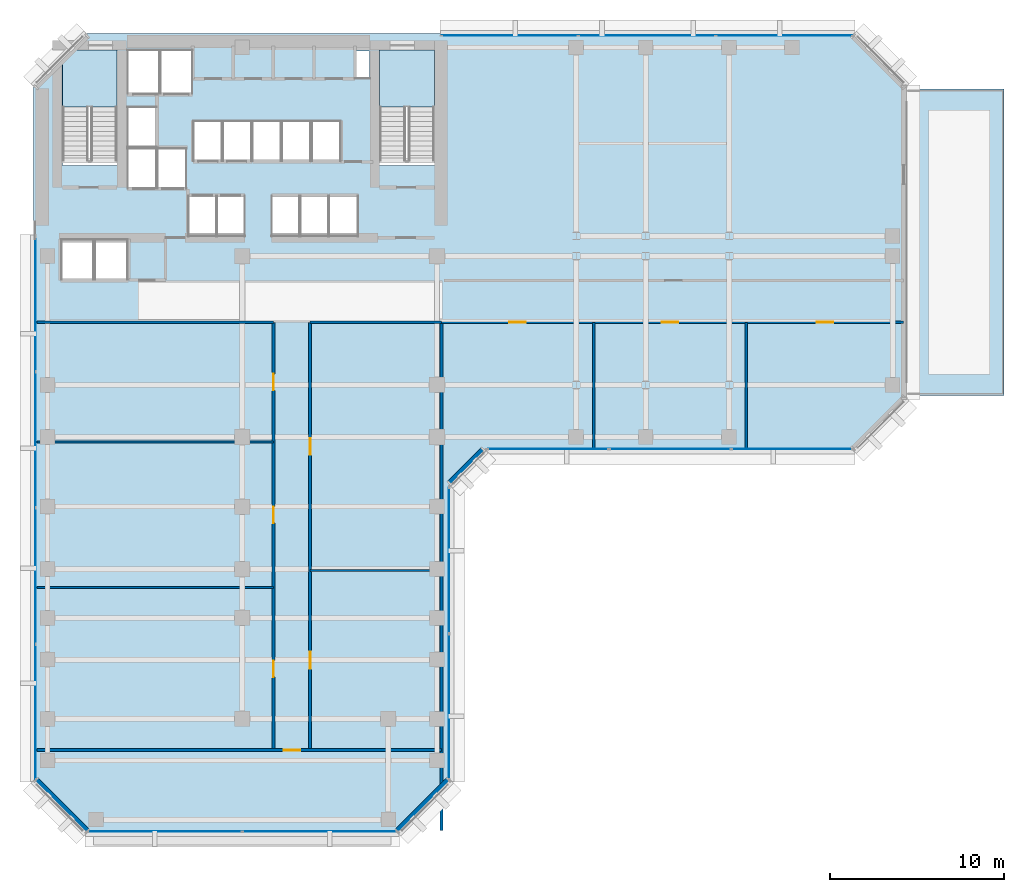
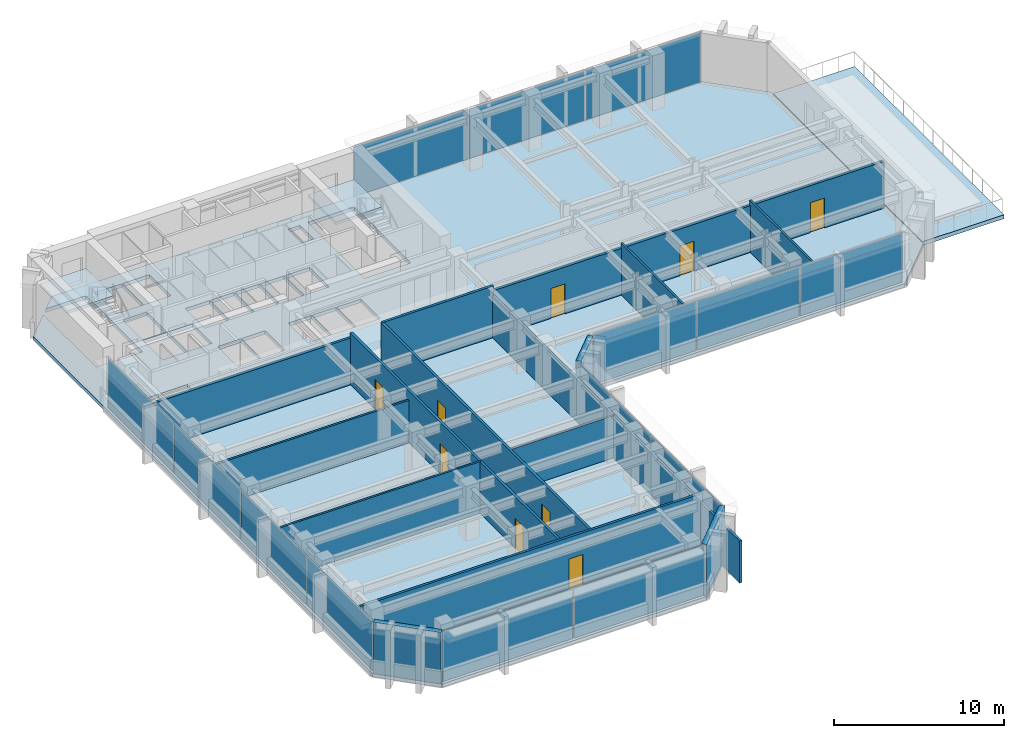
# One storey, part 6 of 12: 15 walls, 14 plates, 9 doors, 4 slabs, 9 openings, 7 elements without a shape of their own.
"""IFC4 building model written with IfcOpenShell, lengths in metres."""

from ifc_helpers import new_model, si_unit, direction, frame, frame_2d, origin, origin_2d, place, context, subcontext, project, spatial, polyline, rectangle, outline, extrude, material, layer, layer_set, type_object, element, fill, aggregate, save


model = new_model("IFC4")

# Units and contexts
model_context = context("Model", 3, precision=1e-05, world=origin(), true_north=direction((0.0, 1.0)))
body_context = subcontext(model_context, "Body", "Model", "MODEL_VIEW")
ifc_project = project(units=[si_unit("LENGTHUNIT", "METRE"), si_unit("AREAUNIT", "SQUARE_METRE"), si_unit("VOLUMEUNIT", "CUBIC_METRE"), si_unit("PLANEANGLEUNIT", "RADIAN"), si_unit("MASSUNIT", "GRAM", prefix="KILO")], contexts=[model_context])

# Site, building, storey
site_placement = place(None, origin())
site = spatial("IfcSite", under=ifc_project, at=site_placement, CompositionType="ELEMENT")
building_placement = place(site_placement, origin())
building = spatial("IfcBuilding", under=site, at=building_placement, Name="Kefirva Bronze Tower", CompositionType="ELEMENT")
storey_placement = place(building_placement, frame((0.0, 0.0, 110.550048828125)))
storey = spatial("IfcBuildingStorey", under=building, at=storey_placement, Name="L26", CompositionType="ELEMENT", Elevation=110.550048828125)

# Slab
ifc_material_1 = material(Name="Concrete C40/50", Category="concrete")
ifc_layer_1 = layer(ifc_material_1, 0.280029296875, Name="Concrete C40/50")
ifc_layer_set_1 = layer_set([ifc_layer_1], Name="Concrete C40/50")
slab_type_1 = type_object("IfcSlabType", Name="RC Setback Sky-Garden Terrace Slab 280mm", PredefinedType="ROOF", material=ifc_layer_set_1)
slab_1_placement = place(storey_placement, frame((0.0, 0.0, -0.280029296875)))
element("IfcSlab", 1, at=slab_1_placement, inside=storey, type_object=slab_type_1, Name="L26 Planted Sky-Garden Terrace Slab", PredefinedType="ROOF", context=body_context, shape_type="SweptSolid", body=[
    extrude(outline(polyline([(50.25, 25.199951171875), (55.800048828125, 25.199951171875), (55.800048828125, 42.800048828125), (50.25, 42.800048828125), (50.25, 25.199951171875)])), origin(), (0.0, 0.0, 1.0), 0.280029296875),
])

# Stair, slab
stair_type = type_object("IfcStairType", Name="RC Dogleg Protected Stair 24R", PredefinedType="HALF_TURN_STAIR", material=ifc_material_1)
stair_1_placement = place(storey_placement, origin())
stair_1 = element("IfcStair", 2, at=stair_1_placement, inside=storey, type_object=stair_type, Name="L26 Protected Exit Stair 1", PredefinedType="HALF_TURN_STAIR")
ifc_layer_2 = layer(ifc_material_1, 0.199951171875, Name="Concrete C40/50")
ifc_layer_set_2 = layer_set([ifc_layer_2], Name="Concrete C40/50")
slab_type_2 = type_object("IfcSlabType", Name="RC Stair Landing Slab 200mm", PredefinedType="LANDING", material=ifc_layer_set_2)
slab_2_placement = place(storey_placement, frame((0.0, 0.0, 1.780029296875)))
slab_2 = element("IfcSlab", 3, at=slab_2_placement, type_object=slab_type_2, Name="ST-1 landing 1", PredefinedType="LANDING", context=body_context, shape_type="SweptSolid", body=[
    extrude(outline(polyline([(4.800048828125, 41.780029296875), (4.800048828125, 45.050048828125), (1.64990234375, 45.050048828125), (1.64990234375, 41.780029296875), (4.800048828125, 41.780029296875)])), origin(), (0.0, 0.0, 1.0), 0.199951171875),
])
aggregate(stair_1, [slab_2])

stair_2_placement = place(storey_placement, origin())
stair_2 = element("IfcStair", 4, at=stair_2_placement, inside=storey, type_object=stair_type, Name="L26 Protected Exit Stair 2", PredefinedType="HALF_TURN_STAIR")
slab_3_placement = place(storey_placement, frame((0.0, 0.0, 1.780029296875)))
slab_3 = element("IfcSlab", 5, at=slab_3_placement, type_object=slab_type_2, Name="ST-2 landing 1", PredefinedType="LANDING", context=body_context, shape_type="SweptSolid", body=[
    extrude(outline(polyline([(23.050048828125, 41.780029296875), (23.050048828125, 45.050048828125), (19.89990234375, 45.050048828125), (19.89990234375, 41.780029296875), (23.050048828125, 41.780029296875)])), origin(), (0.0, 0.0, 1.0), 0.199951171875),
])
aggregate(stair_2, [slab_3])

# Slab
ifc_layer_3 = layer(ifc_material_1, 0.25, Name="Concrete C40/50")
ifc_layer_set_3 = layer_set([ifc_layer_3], Name="Concrete C40/50")
slab_type_3 = type_object("IfcSlabType", Name="RC Tower Floor Slab 250mm", PredefinedType="FLOOR", material=ifc_layer_set_3)
slab_4_placement = place(storey_placement, frame((0.0, 0.0, -0.25)))
element("IfcSlab", 6, at=slab_4_placement, inside=storey, type_object=slab_type_3, Name="L26 Structural Floor Slab", PredefinedType="FLOOR", context=body_context, shape_type="SweptSolid", body=[
    extrude(outline(polyline([(0.0, 3.0), (0.0, 43.0), (1.64990234375, 44.64990234375), (1.64990234375, 38.39990234375), (4.800048828125, 38.39990234375), (4.800048828125, 45.050048828125), (2.050048828125, 45.050048828125), (3.0, 46.0), (47.199951171875, 46.0), (50.199951171875, 43.0), (50.199951171875, 25.0), (47.199951171875, 22.0), (26.0, 22.0), (24.0, 20.0), (24.0, 3.0), (21.0, 0.0), (3.0, 0.0), (0.0, 3.0)]), holes=[polyline([(19.89990234375, 38.39990234375), (23.050048828125, 38.39990234375), (23.050048828125, 45.050048828125), (19.89990234375, 45.050048828125), (19.89990234375, 38.39990234375)]), polyline([(18.52001953125, 43.419921875), (19.320068359375, 43.419921875), (19.320068359375, 45.0), (18.52001953125, 45.0), (18.52001953125, 43.419921875)]), polyline([(17.0, 34.35009765625), (18.64990234375, 34.35009765625), (18.64990234375, 36.64990234375), (17.0, 36.64990234375), (17.0, 34.35009765625)]), polyline([(17.64990234375, 38.679931640625), (17.64990234375, 40.97998046875), (16.0, 40.97998046875), (16.0, 38.679931640625), (17.64990234375, 38.679931640625)]), polyline([(16.949951171875, 34.35009765625), (16.949951171875, 36.64990234375), (15.35009765625, 36.64990234375), (15.35009765625, 34.35009765625), (16.949951171875, 34.35009765625)]), polyline([(15.929931640625, 38.679931640625), (15.929931640625, 40.97998046875), (14.300048828125, 40.97998046875), (14.300048828125, 38.679931640625), (15.929931640625, 38.679931640625)]), polyline([(15.300048828125, 34.35009765625), (15.300048828125, 36.64990234375), (13.699951171875, 36.64990234375), (13.699951171875, 34.35009765625), (15.300048828125, 34.35009765625)]), polyline([(14.22998046875, 38.679931640625), (14.22998046875, 40.97998046875), (12.60009765625, 40.97998046875), (12.60009765625, 38.679931640625), (14.22998046875, 38.679931640625)]), polyline([(10.89990234375, 38.679931640625), (12.530029296875, 38.679931640625), (12.530029296875, 40.97998046875), (10.89990234375, 40.97998046875), (10.89990234375, 38.679931640625)]), polyline([(12.139892578125, 34.35009765625), (12.139892578125, 36.64990234375), (10.5400390625, 36.64990234375), (10.5400390625, 34.35009765625), (12.139892578125, 34.35009765625)]), polyline([(10.830078125, 38.679931640625), (10.830078125, 40.97998046875), (9.199951171875, 40.97998046875), (9.199951171875, 38.679931640625), (10.830078125, 38.679931640625)]), polyline([(10.5, 34.35009765625), (10.5, 36.64990234375), (8.89990234375, 36.64990234375), (8.89990234375, 34.35009765625), (10.5, 34.35009765625)]), polyline([(7.300048828125, 42.550048828125), (9.1201171875, 42.550048828125), (9.1201171875, 45.050048828125), (7.300048828125, 45.050048828125), (7.300048828125, 42.550048828125)]), polyline([(7.139892578125, 37.10009765625), (8.780029296875, 37.10009765625), (8.780029296875, 39.39990234375), (7.139892578125, 39.39990234375), (7.139892578125, 37.10009765625)]), polyline([(5.419921875, 42.550048828125), (7.239990234375, 42.550048828125), (7.239990234375, 45.050048828125), (5.419921875, 45.050048828125), (5.419921875, 42.550048828125)]), polyline([(7.06005859375, 39.47998046875), (7.06005859375, 41.780029296875), (5.419921875, 41.780029296875), (5.419921875, 39.47998046875), (7.06005859375, 39.47998046875)]), polyline([(5.419921875, 37.10009765625), (7.06005859375, 37.10009765625), (7.06005859375, 39.39990234375), (5.419921875, 39.39990234375), (5.419921875, 37.10009765625)]), polyline([(5.39990234375, 31.85009765625), (5.39990234375, 34.14990234375), (3.550048828125, 34.14990234375), (3.550048828125, 31.85009765625), (5.39990234375, 31.85009765625)]), polyline([(3.449951171875, 31.85009765625), (3.449951171875, 34.14990234375), (1.60009765625, 34.14990234375), (1.60009765625, 31.85009765625), (3.449951171875, 31.85009765625)])]), origin(), (0.0, 0.0, 1.0), 0.25),
])

# Curtain wall, plates
ifc_material_2 = material(Name="Bronze anodised aluminium", Category="aluminium")
ifc_layer_4 = layer(ifc_material_2, 0.199951171875, Name="Bronze anodised aluminium")
ifc_layer_set_4 = layer_set([ifc_layer_4], Name="Bronze anodised aluminium")
curtain_wall_type = type_object("IfcCurtainWallType", Name="Unitised Bronze Ribbon Curtain Wall Zone 2", PredefinedType="USERDEFINED", material=ifc_layer_set_4)
curtain_wall_1_placement = place(storey_placement, origin())
curtain_wall_1 = element("IfcCurtainWall", 7, at=curtain_wall_1_placement, inside=storey, type_object=curtain_wall_type, Name="L26 Curtain Wall 1", ObjectType="UNITISED CURTAIN WALL", PredefinedType="USERDEFINED")
ifc_material_3 = material(Name="Laminated low-E double glazing", Category="glass")
ifc_layer_5 = layer(ifc_material_3, 0.031982421875, Name="Laminated low-E double glazing")
ifc_layer_set_5 = layer_set([ifc_layer_5], Name="Laminated low-E double glazing")
plate_type = type_object("IfcPlateType", Name="Solar-Control Low-E Vision Panel 32mm", PredefinedType="CURTAIN_PANEL", material=ifc_layer_set_5)
plate_1_placement = place(storey_placement, frame((7.546142578125, 0.1201171875, 0.074951171875), z_axis=(0.0, 0.0, 1.0), x_axis=(1.0, 0.0, 0.0)))
plate_1 = element("IfcPlate", 8, at=plate_1_placement, type_object=plate_type, Name="CW-02 panel 1.1", PredefinedType="CURTAIN_PANEL", context=body_context, shape_type="SweptSolid", body=[
    extrude(rectangle(XDim=8.83251953125, YDim=0.031982421875, at=origin_2d()), origin(), (0.0, 0.0, 1.0), 3.56005859375),
])
plate_2_placement = place(storey_placement, frame((16.453857421875, 0.1201171875, 0.074951171875), z_axis=(0.0, 0.0, 1.0), x_axis=(1.0, 0.0, 0.0)))
plate_2 = element("IfcPlate", 9, at=plate_2_placement, type_object=plate_type, Name="CW-02 panel 2.1", PredefinedType="CURTAIN_PANEL", context=body_context, shape_type="SweptSolid", body=[
    extrude(rectangle(XDim=8.83251953125, YDim=0.031982421875, at=origin_2d()), origin(), (0.0, 0.0, 1.0), 3.56005859375),
])
aggregate(curtain_wall_1, [plate_1, plate_2])

curtain_wall_2_placement = place(storey_placement, origin())
curtain_wall_2 = element("IfcCurtainWall", 10, at=curtain_wall_2_placement, inside=storey, type_object=curtain_wall_type, Name="L26 Curtain Wall 2", ObjectType="UNITISED CURTAIN WALL", PredefinedType="USERDEFINED")
plate_3_placement = place(storey_placement, frame((23.8798828125, 7.296142578125, 0.074951171875), z_axis=(0.0, 0.0, 1.0), x_axis=(0.0, 1.0, 0.0)))
plate_3 = element("IfcPlate", 11, at=plate_3_placement, type_object=plate_type, Name="CW-02 panel 1.1", PredefinedType="CURTAIN_PANEL", context=body_context, shape_type="SweptSolid", body=[
    extrude(rectangle(XDim=8.33251953125, YDim=0.031982421875, at=origin_2d()), origin(), (0.0, 0.0, 1.0), 3.56005859375),
])
plate_4_placement = place(storey_placement, frame((23.8798828125, 15.703857421875, 0.074951171875), z_axis=(0.0, 0.0, 1.0), x_axis=(0.0, 1.0, 0.0)))
plate_4 = element("IfcPlate", 12, at=plate_4_placement, type_object=plate_type, Name="CW-02 panel 2.1", PredefinedType="CURTAIN_PANEL", context=body_context, shape_type="SweptSolid", body=[
    extrude(rectangle(XDim=8.33251953125, YDim=0.031982421875, at=origin_2d()), origin(), (0.0, 0.0, 1.0), 3.56005859375),
])
aggregate(curtain_wall_2, [plate_3, plate_4])

curtain_wall_3_placement = place(storey_placement, origin())
curtain_wall_3 = element("IfcCurtainWall", 13, at=curtain_wall_3_placement, inside=storey, type_object=curtain_wall_type, Name="L26 Curtain Wall 3", ObjectType="UNITISED CURTAIN WALL", PredefinedType="USERDEFINED")
plate_5_placement = place(storey_placement, frame((29.5888671875, 22.1201171875, 0.074951171875), z_axis=(0.0, 0.0, 1.0), x_axis=(1.0, 0.0, 0.0)))
plate_5 = element("IfcPlate", 14, at=plate_5_placement, type_object=plate_type, Name="CW-02 panel 1.1", PredefinedType="CURTAIN_PANEL", context=body_context, shape_type="SweptSolid", body=[
    extrude(rectangle(XDim=6.91748046875, YDim=0.031982421875, at=origin_2d()), origin(), (0.0, 0.0, 1.0), 3.56005859375),
])
plate_6_placement = place(storey_placement, frame((36.60009765625, 22.1201171875, 0.074951171875), z_axis=(0.0, 0.0, 1.0), x_axis=(1.0, 0.0, 0.0)))
plate_6 = element("IfcPlate", 15, at=plate_6_placement, type_object=plate_type, Name="CW-02 panel 2.1", PredefinedType="CURTAIN_PANEL", context=body_context, shape_type="SweptSolid", body=[
    extrude(rectangle(XDim=6.955078125, YDim=0.031982421875, at=origin_2d()), origin(), (0.0, 0.0, 1.0), 3.56005859375),
])
plate_7_placement = place(storey_placement, frame((43.611328125, 22.1201171875, 0.074951171875), z_axis=(0.0, 0.0, 1.0), x_axis=(1.0, 0.0, 0.0)))
plate_7 = element("IfcPlate", 16, at=plate_7_placement, type_object=plate_type, Name="CW-02 panel 3.1", PredefinedType="CURTAIN_PANEL", context=body_context, shape_type="SweptSolid", body=[
    extrude(rectangle(XDim=6.91748046875, YDim=0.031982421875, at=origin_2d()), origin(), (0.0, 0.0, 1.0), 3.56005859375),
])
aggregate(curtain_wall_3, [plate_5, plate_6, plate_7])

curtain_wall_4_placement = place(storey_placement, origin())
curtain_wall_4 = element("IfcCurtainWall", 17, at=curtain_wall_4_placement, inside=storey, type_object=curtain_wall_type, Name="L26 Curtain Wall 4", ObjectType="UNITISED CURTAIN WALL", PredefinedType="USERDEFINED")
plate_8_placement = place(storey_placement, frame((43.169677734375, 45.8798828125, 0.074951171875), z_axis=(0.0, 0.0, 1.0), x_axis=(-1.0, 0.0, 0.0)))
plate_8 = element("IfcPlate", 18, at=plate_8_placement, type_object=plate_type, Name="CW-02 panel 1.1", PredefinedType="CURTAIN_PANEL", context=body_context, shape_type="SweptSolid", body=[
    extrude(rectangle(XDim=7.80078125, YDim=0.031982421875, at=origin_2d()), origin(), (0.0, 0.0, 1.0), 3.56005859375),
])
plate_9_placement = place(storey_placement, frame((35.27490234375, 45.8798828125, 0.074951171875), z_axis=(0.0, 0.0, 1.0), x_axis=(-1.0, 0.0, 0.0)))
plate_9 = element("IfcPlate", 19, at=plate_9_placement, type_object=plate_type, Name="CW-02 panel 2.1", PredefinedType="CURTAIN_PANEL", context=body_context, shape_type="SweptSolid", body=[
    extrude(rectangle(XDim=7.83837890625, YDim=0.031982421875, at=origin_2d()), origin(), (0.0, 0.0, 1.0), 3.56005859375),
])
plate_10_placement = place(storey_placement, frame((27.38037109375, 45.8798828125, 0.074951171875), z_axis=(0.0, 0.0, 1.0), x_axis=(-1.0, 0.0, 0.0)))
plate_10 = element("IfcPlate", 20, at=plate_10_placement, type_object=plate_type, Name="CW-02 panel 3.1", PredefinedType="CURTAIN_PANEL", context=body_context, shape_type="SweptSolid", body=[
    extrude(rectangle(XDim=7.80078125, YDim=0.031982421875, at=origin_2d()), origin(), (0.0, 0.0, 1.0), 3.56005859375),
])
aggregate(curtain_wall_4, [plate_8, plate_9, plate_10])

curtain_wall_5_placement = place(storey_placement, origin())
curtain_wall_5 = element("IfcCurtainWall", 21, at=curtain_wall_5_placement, inside=storey, type_object=curtain_wall_type, Name="L26 Curtain Wall 5", ObjectType="UNITISED CURTAIN WALL", PredefinedType="USERDEFINED")
plate_11_placement = place(storey_placement, frame((0.1201171875, 30.458740234375, 0.074951171875), z_axis=(0.0, 0.0, 1.0), x_axis=(0.0, -1.0, 0.0)))
plate_11 = element("IfcPlate", 22, at=plate_11_placement, type_object=plate_type, Name="CW-02 panel 1.1", PredefinedType="CURTAIN_PANEL", context=body_context, shape_type="SweptSolid", body=[
    extrude(rectangle(XDim=7.722412109375, YDim=0.031982421875, at=origin_2d()), origin(), (0.0, 0.0, 1.0), 3.56005859375),
])
plate_12_placement = place(storey_placement, frame((0.1201171875, 22.642578125, 0.074951171875), z_axis=(0.0, 0.0, 1.0), x_axis=(0.0, -1.0, 0.0)))
plate_12 = element("IfcPlate", 23, at=plate_12_placement, type_object=plate_type, Name="CW-02 panel 2.1", PredefinedType="CURTAIN_PANEL", context=body_context, shape_type="SweptSolid", body=[
    extrude(rectangle(XDim=7.760009765625, YDim=0.031982421875, at=origin_2d()), origin(), (0.0, 0.0, 1.0), 3.56005859375),
])
plate_13_placement = place(storey_placement, frame((0.1201171875, 14.8076171875, 0.074951171875), z_axis=(0.0, 0.0, 1.0), x_axis=(0.0, -1.0, 0.0)))
plate_13 = element("IfcPlate", 24, at=plate_13_placement, type_object=plate_type, Name="CW-02 panel 3.1", PredefinedType="CURTAIN_PANEL", context=body_context, shape_type="SweptSolid", body=[
    extrude(rectangle(XDim=7.760009765625, YDim=0.031982421875, at=origin_2d()), origin(), (0.0, 0.0, 1.0), 3.56005859375),
])
plate_14_placement = place(storey_placement, frame((0.1201171875, 6.9912109375, 0.074951171875), z_axis=(0.0, 0.0, 1.0), x_axis=(0.0, -1.0, 0.0)))
plate_14 = element("IfcPlate", 25, at=plate_14_placement, type_object=plate_type, Name="CW-02 panel 4.1", PredefinedType="CURTAIN_PANEL", context=body_context, shape_type="SweptSolid", body=[
    extrude(rectangle(XDim=7.722412109375, YDim=0.031982421875, at=origin_2d()), origin(), (0.0, 0.0, 1.0), 3.56005859375),
])
aggregate(curtain_wall_5, [plate_11, plate_12, plate_13, plate_14])

# Walls
ifc_material_4 = material(Name="Gypsum acoustic partition")
ifc_layer_6 = layer(ifc_material_4, 0.1298828125, Name="Gypsum acoustic partition")
ifc_layer_set_6 = layer_set([ifc_layer_6], Name="Gypsum acoustic partition")
wall_type_1 = type_object("IfcWallType", Name="Acoustic Office Partition 130mm", PredefinedType="PARTITIONING", material=ifc_layer_set_6)
wall_1_placement = place(storey_placement, frame((0.18994140625, 14.14794921875, 0.0), z_axis=(0.0, 0.0, 1.0), x_axis=(1.0, 0.0, 0.0)))
element("IfcWall", 26, at=wall_1_placement, inside=storey, type_object=wall_type_1, Name="L26 Partition W-L26-SWD1", PredefinedType="PARTITIONING", context=body_context, shape_type="SweptSolid", body=[
    extrude(rectangle(XDim=13.610107421875, YDim=0.1298828125, at=frame_2d((6.80517578125, 0.0))), origin(), (0.0, 0.0, 1.0), 3.7099609375),
])
wall_2_placement = place(storey_placement, frame((0.18994140625, 22.511962890625, 0.0), z_axis=(0.0, 0.0, 1.0), x_axis=(1.0, 0.0, 0.0)))
element("IfcWall", 27, at=wall_2_placement, inside=storey, type_object=wall_type_1, Name="L26 Partition W-L26-SWD2", PredefinedType="PARTITIONING", context=body_context, shape_type="SweptSolid", body=[
    extrude(rectangle(XDim=13.610107421875, YDim=0.1298828125, at=frame_2d((6.80517578125, 0.0))), origin(), (0.0, 0.0, 1.0), 3.044921875),
])
wall_3_placement = place(storey_placement, frame((15.89990234375, 15.132080078125, 0.0), z_axis=(0.0, 0.0, 1.0), x_axis=(1.0, 0.0, 0.0)))
element("IfcWall", 28, at=wall_3_placement, inside=storey, type_object=wall_type_1, Name="L26 Partition W-L26-SED1", PredefinedType="PARTITIONING", context=body_context, shape_type="SweptSolid", body=[
    extrude(rectangle(XDim=7.550048828125, YDim=0.1298828125, at=frame_2d((3.77490234375, 0.0))), origin(), (0.0, 0.0, 1.0), 3.044921875),
])
for number, where, z_axis, x_axis, name in (
    (29, (32.21484375, 22.18994140625, 0.0), (0.0, 0.0, 1.0), (0.0, 1.0, 0.0), "L26 Partition W-L26-ESD1"),
    (30, (40.9794921875, 22.18994140625, 0.0), (0.0, 0.0, 1.0), (0.0, 1.0, 0.0), "L26 Partition W-L26-ESD2"),
):
    element("IfcWall", number, at=place(storey_placement, frame(where, z_axis=z_axis, x_axis=x_axis)), inside=storey, type_object=wall_type_1, Name=name, PredefinedType="PARTITIONING", context=body_context, shape_type="SweptSolid", body=[
        extrude(rectangle(XDim=7.2099609375, YDim=0.1298828125, at=frame_2d((3.60498046875, 0.0))), origin(), (0.0, 0.0, 1.0), 3.7099609375),
    ])
ifc_material_5 = material(Name="Precast concrete C40/50", Category="concrete")
ifc_layer_7 = layer(ifc_material_5, 0.320068359375, Name="Precast concrete C40/50")
ifc_layer_set_7 = layer_set([ifc_layer_7], Name="Precast concrete C40/50")
wall_type_2 = type_object("IfcWallType", Name="Precast Insulated Exterior Wall 320mm", PredefinedType="SOLIDWALL", material=ifc_layer_set_7)
wall_4_placement = place(storey_placement, frame((20.92578125, 0.152099609375, 0.0), z_axis=(0.0, 0.0, 1.0), x_axis=(0.707106781187, 0.707106781187, 0.0)))
element("IfcWall", 31, at=wall_4_placement, inside=storey, type_object=wall_type_2, Name="L26 Exterior Facade Wall 1", PredefinedType="SOLIDWALL", context=body_context, shape_type="SweptSolid", body=[
    extrude(rectangle(XDim=4.132568359375, YDim=0.320068359375, at=frame_2d((2.06640625, 0.0))), origin(), (0.0, 0.0, 1.0), 3.7099609375),
])
wall_5_placement = place(storey_placement, frame((23.92578125, 20.152099609375, 0.0), z_axis=(0.0, 0.0, 1.0), x_axis=(0.707106781187, 0.707106781187, 0.0)))
element("IfcWall", 32, at=wall_5_placement, inside=storey, type_object=wall_type_2, Name="L26 Exterior Facade Wall 2", PredefinedType="SOLIDWALL", context=body_context, shape_type="SweptSolid", body=[
    extrude(rectangle(XDim=2.71826171875, YDim=0.320068359375, at=frame_2d((1.359130859375, 0.0))), origin(), (0.0, 0.0, 1.0), 3.7099609375),
])
wall_6_placement = place(storey_placement, frame((0.152099609375, 3.07421875, 0.0), z_axis=(0.0, 0.0, 1.0), x_axis=(0.707106781187, -0.707106781187, 0.0)))
element("IfcWall", 33, at=wall_6_placement, inside=storey, type_object=wall_type_2, Name="L26 Exterior Facade Wall 7", PredefinedType="SOLIDWALL", context=body_context, shape_type="SweptSolid", body=[
    extrude(rectangle(XDim=4.132568359375, YDim=0.320068359375, at=frame_2d((2.06640625, 0.0))), origin(), (0.0, 0.0, 1.0), 3.7099609375),
])

# Wall, openings, doors
ifc_layer_8 = layer(ifc_material_4, 0.159912109375, Name="Gypsum acoustic partition")
ifc_layer_set_8 = layer_set([ifc_layer_8], Name="Gypsum acoustic partition")
wall_type_3 = type_object("IfcWallType", Name="Protected Corridor Partition 160mm", PredefinedType="PARTITIONING", material=ifc_layer_set_8)
wall_7_placement = place(storey_placement, frame((13.800048828125, 4.800048828125, 0.0), z_axis=(0.0, 0.0, 1.0), x_axis=(0.0, 1.0, 0.0)))
wall_7 = element("IfcWall", 34, at=wall_7_placement, inside=storey, type_object=wall_type_3, Name="L26 Partition W-L26-SWCORW", PredefinedType="PARTITIONING", context=body_context, shape_type="SweptSolid", body=[
    extrude(rectangle(XDim=24.599853515625, YDim=0.159912109375, at=frame_2d((12.2998046875, 0.0))), origin(), (0.0, 0.0, 1.0), 3.7099609375),
])
opening_1_placement = place(wall_7_placement, frame((5.14892578125, 0.0, 0.0), z_axis=(0.0, 0.0, 1.0), x_axis=(-1.0, 0.0, 0.0)))
opening_1 = element("IfcOpeningElement", 35, at=opening_1_placement, cuts=wall_7, Name="Opening L26-D-SW1", PredefinedType="OPENING", context=body_context, shape_type="SweptSolid", body=[
    extrude(rectangle(XDim=0.949951171875, YDim=2.14990234375, at=frame_2d((0.47509765625, 1.074951171875))), frame((0.0, 0.08984375, 0.0), z_axis=(0.0, -1.0, 0.0), x_axis=(1.0, 0.0, 0.0)), (0.0, 0.0, 1.0), 0.179931640625),
])
opening_2_placement = place(wall_7_placement, frame((14.0048828125, 0.0, 0.0), z_axis=(0.0, 0.0, 1.0), x_axis=(-1.0, 0.0, 0.0)))
opening_2 = element("IfcOpeningElement", 36, at=opening_2_placement, cuts=wall_7, Name="Opening L26-D-SW2", PredefinedType="OPENING", context=body_context, shape_type="SweptSolid", body=[
    extrude(rectangle(XDim=0.949951171875, YDim=2.14990234375, at=frame_2d((0.47509765625, 1.074951171875))), frame((0.0, 0.08984375, 0.0), z_axis=(0.0, -1.0, 0.0), x_axis=(1.0, 0.0, 0.0)), (0.0, 0.0, 1.0), 0.179931640625),
])
opening_3_placement = place(wall_7_placement, frame((21.630859375, 0.0, 0.0), z_axis=(0.0, 0.0, 1.0), x_axis=(-1.0, 0.0, 0.0)))
opening_3 = element("IfcOpeningElement", 37, at=opening_3_placement, cuts=wall_7, Name="Opening L26-D-SW3", PredefinedType="OPENING", context=body_context, shape_type="SweptSolid", body=[
    extrude(rectangle(XDim=0.949951171875, YDim=2.14990234375, at=frame_2d((0.47509765625, 1.074951171875))), frame((0.0, 0.08984375, 0.0), z_axis=(0.0, -1.0, 0.0), x_axis=(1.0, 0.0, 0.0)), (0.0, 0.0, 1.0), 0.179931640625),
])
ifc_material_6 = material(Name="Acoustic hardwood oak", Category="wood")
door_type = type_object("IfcDoorType", Name="Office & Meeting Room Door 950x2150", OperationType="NOTDEFINED", PredefinedType="DOOR", material=ifc_material_6)
door_1_placement = place(opening_1_placement, origin())
door_1 = element("IfcDoor", 38, at=door_1_placement, inside=storey, type_object=door_type, Name="Door L26-D-SW1", OperationType="SINGLE_SWING_LEFT", OverallHeight=2.14990234375, OverallWidth=0.949951171875, PredefinedType="DOOR", context=body_context, shape_type="SweptSolid", body=[
    extrude(rectangle(XDim=0.949951171875, YDim=2.14990234375, at=frame_2d((0.47509765625, 1.074951171875))), frame((0.0, 0.02490234375, 0.0), z_axis=(0.0, -1.0, 0.0), x_axis=(1.0, 0.0, 0.0)), (0.0, 0.0, 1.0), 0.050048828125),
])
fill(opening_1, door_1)
door_2_placement = place(opening_2_placement, origin())
door_2 = element("IfcDoor", 39, at=door_2_placement, inside=storey, type_object=door_type, Name="Door L26-D-SW2", OperationType="SINGLE_SWING_RIGHT", OverallHeight=2.14990234375, OverallWidth=0.949951171875, PredefinedType="DOOR", context=body_context, shape_type="SweptSolid", body=[
    extrude(rectangle(XDim=0.949951171875, YDim=2.14990234375, at=frame_2d((0.47509765625, 1.074951171875))), frame((0.0, 0.02490234375, 0.0), z_axis=(0.0, -1.0, 0.0), x_axis=(1.0, 0.0, 0.0)), (0.0, 0.0, 1.0), 0.050048828125),
])
fill(opening_2, door_2)
door_3_placement = place(opening_3_placement, origin())
door_3 = element("IfcDoor", 40, at=door_3_placement, inside=storey, type_object=door_type, Name="Door L26-D-SW3", OperationType="SINGLE_SWING_LEFT", OverallHeight=2.14990234375, OverallWidth=0.949951171875, PredefinedType="DOOR", context=body_context, shape_type="SweptSolid", body=[
    extrude(rectangle(XDim=0.949951171875, YDim=2.14990234375, at=frame_2d((0.47509765625, 1.074951171875))), frame((0.0, 0.02490234375, 0.0), z_axis=(0.0, -1.0, 0.0), x_axis=(1.0, 0.0, 0.0)), (0.0, 0.0, 1.0), 0.050048828125),
])
fill(opening_3, door_3)

wall_8_placement = place(storey_placement, frame((15.89990234375, 4.800048828125, 0.0), z_axis=(0.0, 0.0, 1.0), x_axis=(0.0, 1.0, 0.0)))
wall_8 = element("IfcWall", 41, at=wall_8_placement, inside=storey, type_object=wall_type_3, Name="L26 Partition W-L26-SECORE", PredefinedType="PARTITIONING", context=body_context, shape_type="SweptSolid", body=[
    extrude(rectangle(XDim=24.599853515625, YDim=0.159912109375, at=frame_2d((12.2998046875, 0.0))), origin(), (0.0, 0.0, 1.0), 3.7099609375),
])
opening_4_placement = place(wall_8_placement, frame((4.69091796875, 0.0, 0.0)))
opening_4 = element("IfcOpeningElement", 42, at=opening_4_placement, cuts=wall_8, Name="Opening L26-D-SE1", PredefinedType="OPENING", context=body_context, shape_type="SweptSolid", body=[
    extrude(rectangle(XDim=0.949951171875, YDim=2.14990234375, at=frame_2d((0.47509765625, 1.074951171875))), frame((0.0, 0.08984375, 0.0), z_axis=(0.0, -1.0, 0.0), x_axis=(1.0, 0.0, 0.0)), (0.0, 0.0, 1.0), 0.179931640625),
])
opening_5_placement = place(wall_8_placement, frame((16.990966796875, 0.0, 0.0)))
opening_5 = element("IfcOpeningElement", 43, at=opening_5_placement, cuts=wall_8, Name="Opening L26-D-SE2", PredefinedType="OPENING", context=body_context, shape_type="SweptSolid", body=[
    extrude(rectangle(XDim=0.949951171875, YDim=2.14990234375, at=frame_2d((0.47509765625, 1.074951171875))), frame((0.0, 0.08984375, 0.0), z_axis=(0.0, -1.0, 0.0), x_axis=(1.0, 0.0, 0.0)), (0.0, 0.0, 1.0), 0.179931640625),
])
door_4_placement = place(opening_4_placement, origin())
door_4 = element("IfcDoor", 44, at=door_4_placement, inside=storey, type_object=door_type, Name="Door L26-D-SE1", OperationType="SINGLE_SWING_RIGHT", OverallHeight=2.14990234375, OverallWidth=0.949951171875, PredefinedType="DOOR", context=body_context, shape_type="SweptSolid", body=[
    extrude(rectangle(XDim=0.949951171875, YDim=2.14990234375, at=frame_2d((0.47509765625, 1.074951171875))), frame((0.0, 0.02490234375, 0.0), z_axis=(0.0, -1.0, 0.0), x_axis=(1.0, 0.0, 0.0)), (0.0, 0.0, 1.0), 0.050048828125),
])
fill(opening_4, door_4)
door_5_placement = place(opening_5_placement, origin())
door_5 = element("IfcDoor", 45, at=door_5_placement, inside=storey, type_object=door_type, Name="Door L26-D-SE2", OperationType="SINGLE_SWING_LEFT", OverallHeight=2.14990234375, OverallWidth=0.949951171875, PredefinedType="DOOR", context=body_context, shape_type="SweptSolid", body=[
    extrude(rectangle(XDim=0.949951171875, YDim=2.14990234375, at=frame_2d((0.47509765625, 1.074951171875))), frame((0.0, 0.02490234375, 0.0), z_axis=(0.0, -1.0, 0.0), x_axis=(1.0, 0.0, 0.0)), (0.0, 0.0, 1.0), 0.050048828125),
])
fill(opening_5, door_5)

# Wall, opening, door
wall_9_placement = place(storey_placement, frame((0.18994140625, 4.800048828125, 0.0), z_axis=(0.0, 0.0, 1.0), x_axis=(1.0, 0.0, 0.0)))
wall_9 = element("IfcWall", 46, at=wall_9_placement, inside=storey, type_object=wall_type_3, Name="L26 Partition W-L26-SBEND", PredefinedType="PARTITIONING", context=body_context, shape_type="SweptSolid", body=[
    extrude(rectangle(XDim=23.260009765625, YDim=0.159912109375, at=frame_2d((11.6298828125, 0.0))), origin(), (0.0, 0.0, 1.0), 3.7099609375),
])
opening_6_placement = place(wall_9_placement, frame((14.18994140625, 0.0, 0.0)))
opening_6 = element("IfcOpeningElement", 47, at=opening_6_placement, cuts=wall_9, Name="Opening L26-D-SEND1", PredefinedType="OPENING", context=body_context, shape_type="SweptSolid", body=[
    extrude(rectangle(XDim=0.949951171875, YDim=2.14990234375, at=frame_2d((0.47509765625, 1.074951171875))), frame((0.0, 0.08984375, 0.0), z_axis=(0.0, -1.0, 0.0), x_axis=(1.0, 0.0, 0.0)), (0.0, 0.0, 1.0), 0.179931640625),
])
door_6_placement = place(opening_6_placement, origin())
door_6 = element("IfcDoor", 48, at=door_6_placement, inside=storey, type_object=door_type, Name="Door L26-D-SEND1", OperationType="SINGLE_SWING_RIGHT", OverallHeight=2.14990234375, OverallWidth=0.949951171875, PredefinedType="DOOR", context=body_context, shape_type="SweptSolid", body=[
    extrude(rectangle(XDim=0.949951171875, YDim=2.14990234375, at=frame_2d((0.47509765625, 1.074951171875))), frame((0.0, 0.02490234375, 0.0), z_axis=(0.0, -1.0, 0.0), x_axis=(1.0, 0.0, 0.0)), (0.0, 0.0, 1.0), 0.050048828125),
])
fill(opening_6, door_6)

# Walls
wall_10_placement = place(storey_placement, frame((0.18994140625, 29.39990234375, 0.0), z_axis=(0.0, 0.0, 1.0), x_axis=(1.0, 0.0, 0.0)))
element("IfcWall", 49, at=wall_10_placement, inside=storey, type_object=wall_type_3, Name="L26 Partition W-L26-NWT", PredefinedType="PARTITIONING", context=body_context, shape_type="SweptSolid", body=[
    extrude(rectangle(XDim=13.610107421875, YDim=0.159912109375, at=frame_2d((6.80517578125, 0.0))), origin(), (0.0, 0.0, 1.0), 3.364990234375),
])
wall_11_placement = place(storey_placement, frame((15.89990234375, 29.39990234375, 0.0), z_axis=(0.0, 0.0, 1.0), x_axis=(1.0, 0.0, 0.0)))
element("IfcWall", 50, at=wall_11_placement, inside=storey, type_object=wall_type_3, Name="L26 Partition W-L26-NET", PredefinedType="PARTITIONING", context=body_context, shape_type="SweptSolid", body=[
    extrude(rectangle(XDim=7.550048828125, YDim=0.159912109375, at=frame_2d((3.77490234375, 0.0))), origin(), (0.0, 0.0, 1.0), 3.7099609375),
])
wall_12_placement = place(storey_placement, frame((23.449951171875, 0.18994140625, 0.0), z_axis=(0.0, 0.0, 1.0), x_axis=(0.0, 1.0, 0.0)))
element("IfcWall", 51, at=wall_12_placement, inside=storey, type_object=wall_type_3, Name="L26 Partition W-L26-SWEAST", PredefinedType="PARTITIONING", context=body_context, shape_type="SweptSolid", body=[
    extrude(rectangle(XDim=29.2099609375, YDim=0.159912109375, at=frame_2d((14.60498046875, 0.0))), origin(), (0.0, 0.0, 1.0), 3.044921875),
])

# Wall, openings, doors
wall_13_placement = place(storey_placement, frame((23.449951171875, 29.39990234375, 0.0), z_axis=(0.0, 0.0, 1.0), x_axis=(1.0, 0.0, 0.0)))
wall_13 = element("IfcWall", 52, at=wall_13_placement, inside=storey, type_object=wall_type_3, Name="L26 Partition W-L26-EWS", PredefinedType="PARTITIONING", context=body_context, shape_type="SweptSolid", body=[
    extrude(rectangle(XDim=26.56005859375, YDim=0.159912109375, at=frame_2d((13.280029296875, 0.0))), origin(), (0.0, 0.0, 1.0), 3.364990234375),
])
opening_7_placement = place(wall_13_placement, frame((4.857421875, 0.0, 0.0), z_axis=(0.0, 0.0, 1.0), x_axis=(-1.0, 0.0, 0.0)))
opening_7 = element("IfcOpeningElement", 53, at=opening_7_placement, cuts=wall_13, Name="Opening L26-D-ES1", PredefinedType="OPENING", context=body_context, shape_type="SweptSolid", body=[
    extrude(rectangle(XDim=0.949951171875, YDim=2.14990234375, at=frame_2d((0.47509765625, 1.074951171875))), frame((0.0, 0.08984375, 0.0), z_axis=(0.0, -1.0, 0.0), x_axis=(1.0, 0.0, 0.0)), (0.0, 0.0, 1.0), 0.179931640625),
])
opening_8_placement = place(wall_13_placement, frame((13.6220703125, 0.0, 0.0), z_axis=(0.0, 0.0, 1.0), x_axis=(-1.0, 0.0, 0.0)))
opening_8 = element("IfcOpeningElement", 54, at=opening_8_placement, cuts=wall_13, Name="Opening L26-D-ES2", PredefinedType="OPENING", context=body_context, shape_type="SweptSolid", body=[
    extrude(rectangle(XDim=0.949951171875, YDim=2.14990234375, at=frame_2d((0.47509765625, 1.074951171875))), frame((0.0, 0.08984375, 0.0), z_axis=(0.0, -1.0, 0.0), x_axis=(1.0, 0.0, 0.0)), (0.0, 0.0, 1.0), 0.179931640625),
])
opening_9_placement = place(wall_13_placement, frame((22.519775390625, 0.0, 0.0), z_axis=(0.0, 0.0, 1.0), x_axis=(-1.0, 0.0, 0.0)))
opening_9 = element("IfcOpeningElement", 55, at=opening_9_placement, cuts=wall_13, Name="Opening L26-D-ES3", PredefinedType="OPENING", context=body_context, shape_type="SweptSolid", body=[
    extrude(rectangle(XDim=0.949951171875, YDim=2.14990234375, at=frame_2d((0.47509765625, 1.074951171875))), frame((0.0, 0.08984375, 0.0), z_axis=(0.0, -1.0, 0.0), x_axis=(1.0, 0.0, 0.0)), (0.0, 0.0, 1.0), 0.179931640625),
])
door_7_placement = place(opening_7_placement, origin())
door_7 = element("IfcDoor", 56, at=door_7_placement, inside=storey, type_object=door_type, Name="Door L26-D-ES1", OperationType="SINGLE_SWING_RIGHT", OverallHeight=2.14990234375, OverallWidth=0.949951171875, PredefinedType="DOOR", context=body_context, shape_type="SweptSolid", body=[
    extrude(rectangle(XDim=0.949951171875, YDim=2.14990234375, at=frame_2d((0.47509765625, 1.074951171875))), frame((0.0, 0.02490234375, 0.0), z_axis=(0.0, -1.0, 0.0), x_axis=(1.0, 0.0, 0.0)), (0.0, 0.0, 1.0), 0.050048828125),
])
fill(opening_7, door_7)
door_8_placement = place(opening_8_placement, origin())
door_8 = element("IfcDoor", 57, at=door_8_placement, inside=storey, type_object=door_type, Name="Door L26-D-ES2", OperationType="SINGLE_SWING_LEFT", OverallHeight=2.14990234375, OverallWidth=0.949951171875, PredefinedType="DOOR", context=body_context, shape_type="SweptSolid", body=[
    extrude(rectangle(XDim=0.949951171875, YDim=2.14990234375, at=frame_2d((0.47509765625, 1.074951171875))), frame((0.0, 0.02490234375, 0.0), z_axis=(0.0, -1.0, 0.0), x_axis=(1.0, 0.0, 0.0)), (0.0, 0.0, 1.0), 0.050048828125),
])
fill(opening_8, door_8)
door_9_placement = place(opening_9_placement, origin())
door_9 = element("IfcDoor", 58, at=door_9_placement, inside=storey, type_object=door_type, Name="Door L26-D-ES3", OperationType="SINGLE_SWING_RIGHT", OverallHeight=2.14990234375, OverallWidth=0.949951171875, PredefinedType="DOOR", context=body_context, shape_type="SweptSolid", body=[
    extrude(rectangle(XDim=0.949951171875, YDim=2.14990234375, at=frame_2d((0.47509765625, 1.074951171875))), frame((0.0, 0.02490234375, 0.0), z_axis=(0.0, -1.0, 0.0), x_axis=(1.0, 0.0, 0.0)), (0.0, 0.0, 1.0), 0.050048828125),
])
fill(opening_9, door_9)

save(model, "model.ifc")
